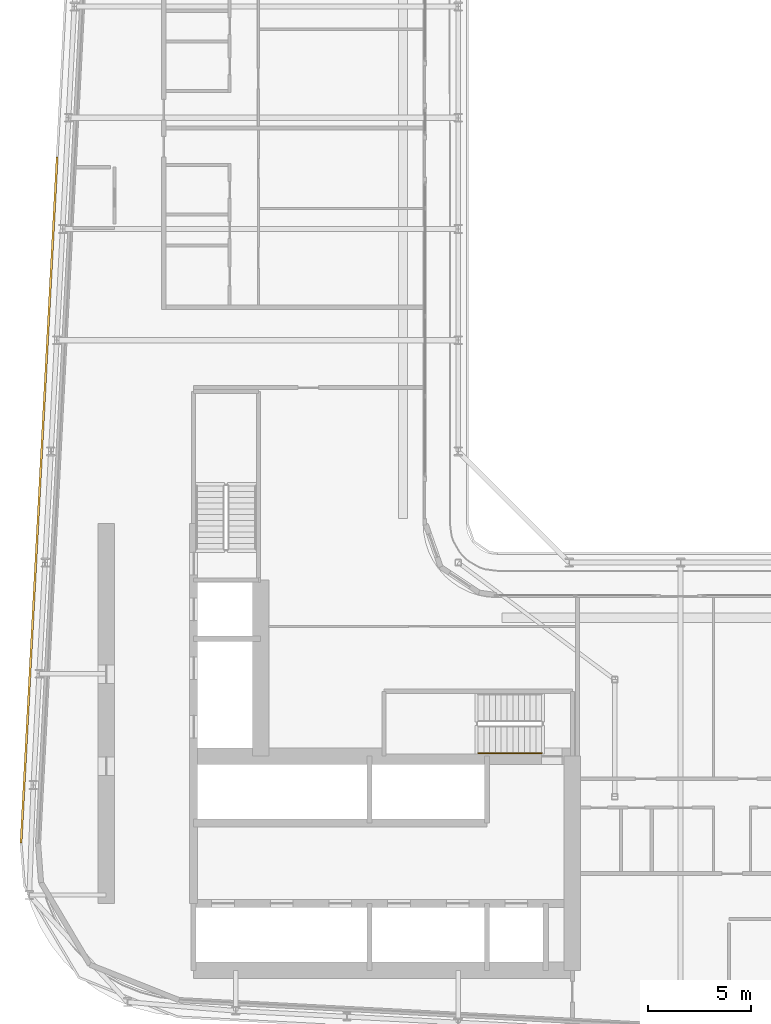
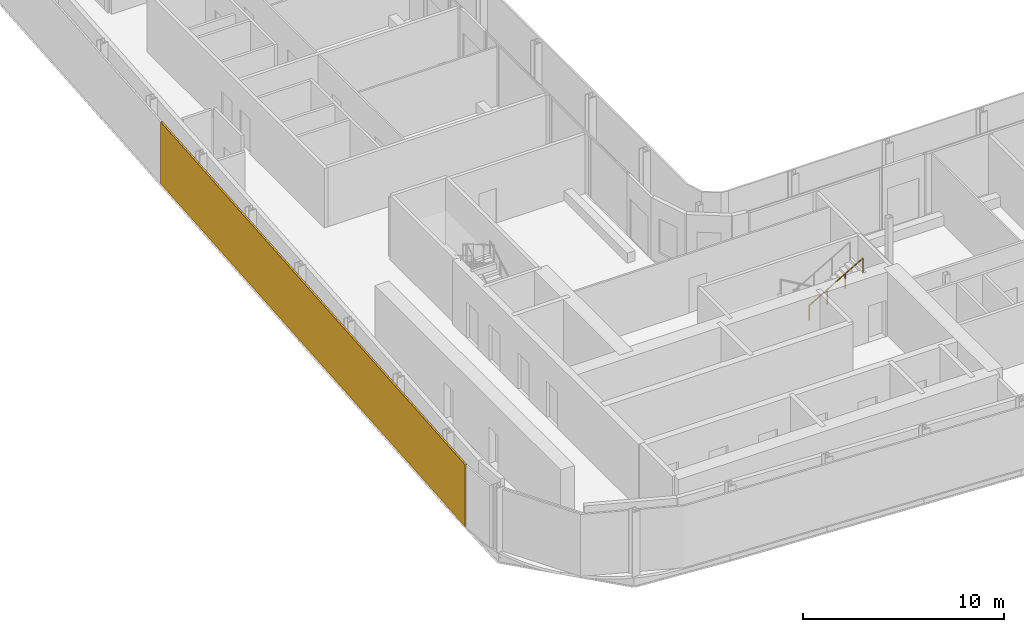
# One storey, part 23 of 29: 1 railing, 1 shading device.
"""IFC4 building model written with IfcOpenShell, lengths in metres."""

from ifc_helpers import new_model, si_unit, direction, frame, origin, origin_2d, place, context, subcontext, project, spatial, rectangle, circle, extrude, material, layer, layer_set, type_object, element, save


model = new_model("IFC4")

# Units and contexts
model_context = context("Model", 3, precision=1e-05, world=origin(), true_north=direction((0.0, 1.0)))
body_context = subcontext(model_context, "Body", "Model", "MODEL_VIEW")
ifc_project = project(units=[si_unit("LENGTHUNIT", "METRE"), si_unit("AREAUNIT", "SQUARE_METRE"), si_unit("VOLUMEUNIT", "CUBIC_METRE"), si_unit("PLANEANGLEUNIT", "RADIAN"), si_unit("MASSUNIT", "GRAM", prefix="KILO")], contexts=[model_context])

# Site, building, storey
site_placement = place(None, origin())
site = spatial("IfcSite", under=ifc_project, at=site_placement, CompositionType="ELEMENT")
building_placement = place(site_placement, origin())
building = spatial("IfcBuilding", under=site, at=building_placement, Name="Kheshtan School and Residences Tower", CompositionType="ELEMENT")
storey_placement = place(building_placement, frame((0.0, 0.0, 176.0)))
storey = spatial("IfcBuildingStorey", under=building, at=storey_placement, Name="L41", CompositionType="ELEMENT", Elevation=176.0)

# Shading device
ifc_material_1 = material(Name="Terracotta baguette, extruded ceramic", Category="masonry")
ifc_layer = layer(ifc_material_1, 0.10009765625)
ifc_layer_set = layer_set([ifc_layer], Name="Ledge screen, terracotta baguettes")
shading_device_type = type_object("IfcShadingDeviceType", Name="Ledge screen, terracotta baguettes", PredefinedType="USERDEFINED", material=ifc_layer_set)
shading_device_placement = place(storey_placement, frame((27.24609375, 48.638916015625, 0.0), z_axis=(0.0, 0.0, 1.0), x_axis=(0.052562536748, 0.998617634398, 0.0)))
element("IfcShadingDevice", 1, at=shading_device_placement, inside=storey, type_object=shading_device_type, Name="Screen L41 4", ObjectType="BAGUETTE", PredefinedType="USERDEFINED", context=body_context, shape_type="SweptSolid", body=[
    extrude(rectangle(XDim=33.341064453125, YDim=0.10009765625, at=origin_2d()), origin(), (0.0, 0.0, 1.0), 3.75),
])

# Railing
ifc_material_2 = material(Name="Stainless steel handrail", Category="steel")
railing_type = type_object("IfcRailingType", Name="Stair handrail 900", PredefinedType="HANDRAIL", material=ifc_material_2)
railing_placement = place(storey_placement, frame((48.570068359375, 36.35009765625, 2.112548828125)))
element("IfcRailing", 2, at=railing_placement, inside=storey, type_object=railing_type, Name="L41 ST1 stair handrail 2", PredefinedType="HANDRAIL", context=body_context, shape_type="SweptSolid", body=[
    extrude(circle(Radius=0.02392578125, at=origin_2d()), frame((0.0, 0.0, 0.8759765625), z_axis=(0.864903211148, 0.0, 0.501938676878), x_axis=(0.0, 1.0, 0.0)), (0.0, 0.0, 1.0), 3.560791015625),
    extrude(circle(Radius=0.02099609375, at=origin_2d()), origin(), (0.0, 0.0, 1.0), 0.851806640625),
    extrude(circle(Radius=0.02099609375, at=origin_2d()), frame((1.026611328125, 0.0, 0.595703125)), (0.0, 0.0, 1.0), 0.851806640625),
    extrude(circle(Radius=0.02099609375, at=origin_2d()), frame((2.05322265625, 0.0, 1.191650390625)), (0.0, 0.0, 1.0), 0.851806640625),
    extrude(circle(Radius=0.02099609375, at=origin_2d()), frame((3.079833984375, 0.0, 1.787353515625)), (0.0, 0.0, 1.0), 0.851806640625),
])

save(model, "model.ifc")
